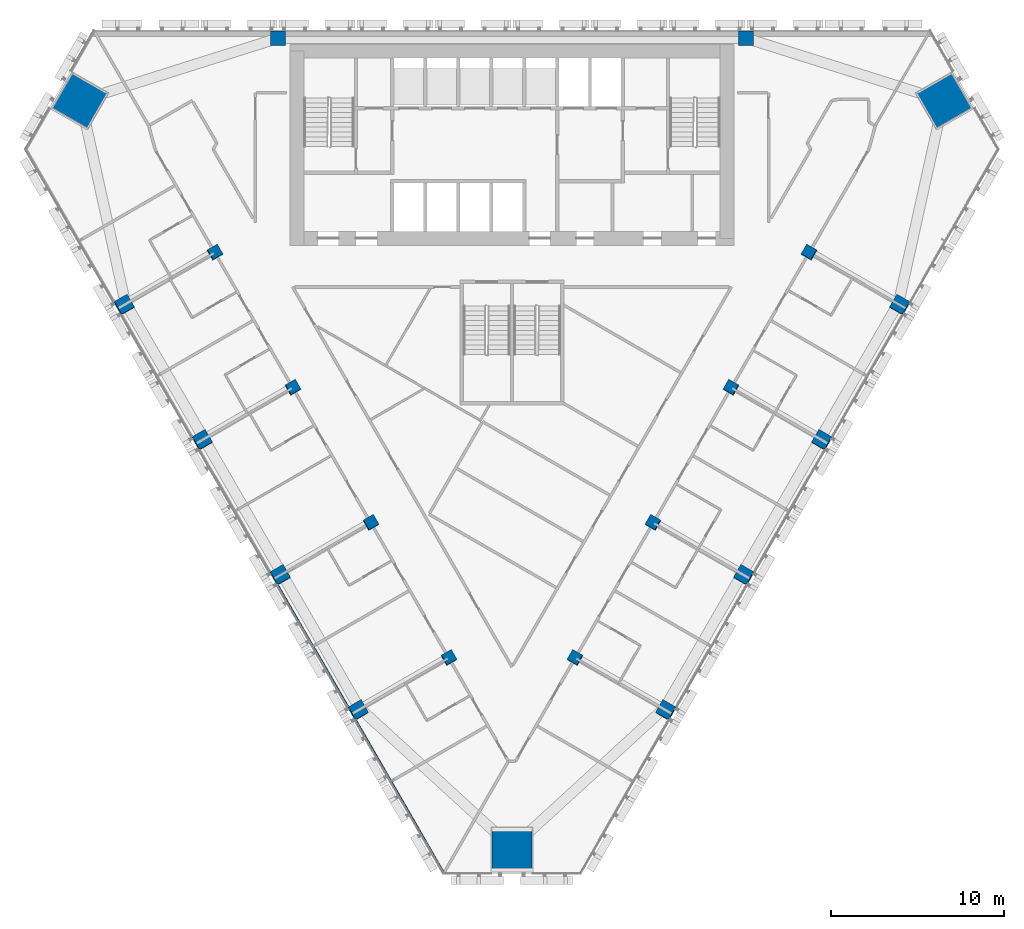
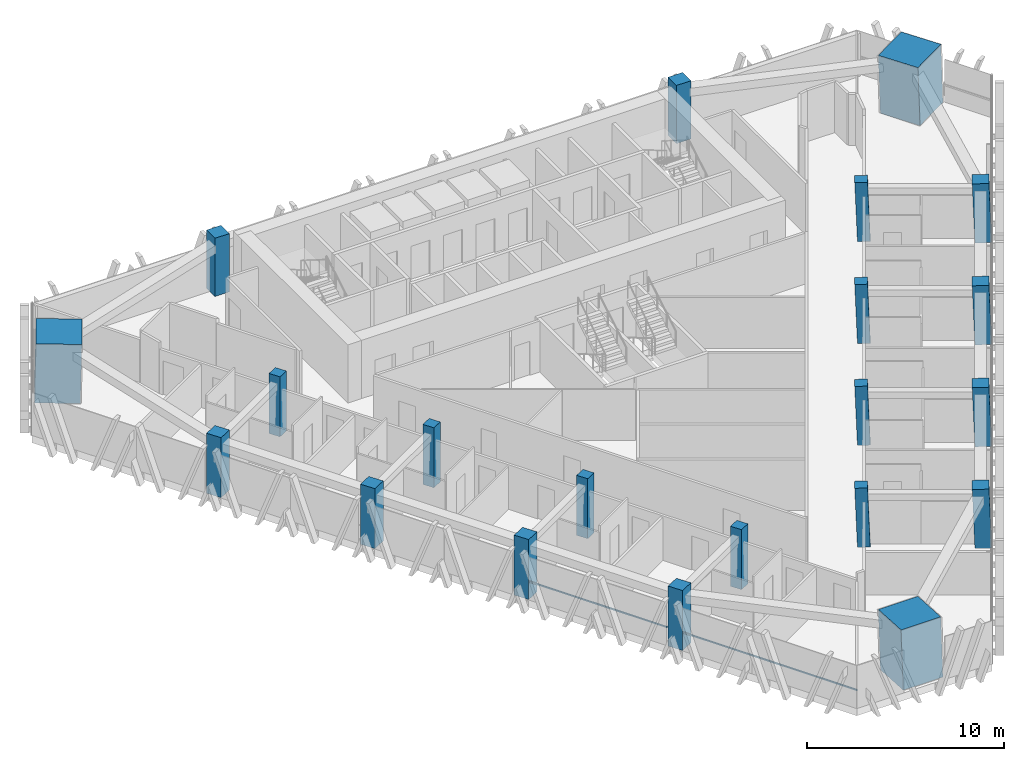
# One storey, part 1 of 16: 21 columns, 2 members, 1 element without a shape of its own.
"""IFC4 building model written with IfcOpenShell, lengths in metres."""

from ifc_helpers import new_model, si_unit, direction, frame, origin, origin_2d, place, context, subcontext, project, spatial, rectangle, extrude, material, layer, layer_set, material_profile, profile_set, type_object, element, aggregate, save


model = new_model("IFC4")

# Units and contexts
model_context = context("Model", 3, precision=1e-05, world=origin(), true_north=direction((0.0, 1.0)))
body_context = subcontext(model_context, "Body", "Model", "MODEL_VIEW")
ifc_project = project(units=[si_unit("LENGTHUNIT", "METRE"), si_unit("AREAUNIT", "SQUARE_METRE"), si_unit("VOLUMEUNIT", "CUBIC_METRE"), si_unit("PLANEANGLEUNIT", "RADIAN"), si_unit("MASSUNIT", "GRAM", prefix="KILO")], contexts=[model_context])

# Site, building, storey
site_placement = place(None, origin())
site = spatial("IfcSite", under=ifc_project, at=site_placement, CompositionType="ELEMENT")
building_placement = place(site_placement, origin())
building = spatial("IfcBuilding", under=site, at=building_placement, Name="Altiplano Prism Tower", CompositionType="ELEMENT")
storey_placement = place(building_placement, frame((0.0, 0.0, 124.199951171875)))
storey = spatial("IfcBuildingStorey", under=building, at=storey_placement, Name="L31", CompositionType="ELEMENT", Elevation=124.199951171875)

# Columns
ifc_material_1 = material(Name="Concrete C60/75", Category="concrete")
ifc_material_profile_1 = material_profile(ifc_material_1, rectangle(XDim=0.64990234375, YDim=0.64990234375, at=origin_2d()), Name="Inner column 650")
ifc_profile_set_1 = profile_set([ifc_material_profile_1], Name="Concrete C60/75")
column_type_1 = type_object("IfcColumnType", Name="Inner column 650", PredefinedType="COLUMN", material=ifc_profile_set_1)
for number, where, z_axis, x_axis, name in (
    (1, (67.851806640625, 92.181396484375, -0.019775390625), (0.022221406801, 0.038413224561, 0.999014831351), (-0.866024065394, -0.498523117158, 0.038432015521), "Inner column I11 L31"),
    (2, (72.351806640625, 84.38720703125, -0.019775390625), (0.022221406801, 0.038413224561, 0.999014831351), (-0.866025617206, -0.498520426688, 0.038431946587), "Inner column I12 L31"),
    (3, (76.851806640625, 76.5927734375, -0.019775390625), (0.02222134892, 0.038480872521, 0.999012229206), (-0.86564209878, -0.499182168802, 0.038482712619), "Inner column I13 L31"),
    (4, (81.351806640625, 68.798583984375, -0.019775390625), (0.02222134892, 0.038480872521, 0.999012229206), (-0.865643652647, -0.499179479521, 0.038482643594), "Inner column I14 L31"),
    (5, (88.648193359375, 68.798583984375, -0.019775390625), (-0.02222134892, 0.038480872521, 0.999012229206), (-0.500167250312, -0.865643731379, 0.022218281657), "Inner column I21 L31"),
    (6, (93.148193359375, 76.5927734375, -0.019775390625), (-0.02222134892, 0.038480872521, 0.999012229206), (-0.500169939593, -0.865642180581, 0.022218162104), "Inner column I22 L31"),
    (7, (97.648193359375, 84.38720703125, -0.019775390625), (-0.022221406801, 0.038413224561, 0.999014831351), (-0.499510250399, -0.866023767971, 0.022188804714), "Inner column I23 L31"),
    (8, (102.148193359375, 92.181396484375, -0.019775390625), (-0.022221406801, 0.038413224561, 0.999014831351), (-0.499512940858, -0.866022219206, 0.022188685317), "Inner column I24 L31"),
):
    element("IfcColumn", number, at=place(storey_placement, frame(where, z_axis=z_axis, x_axis=x_axis)), inside=storey, type_object=column_type_1, Name=name, PredefinedType="COLUMN", context=body_context, shape_type="SweptSolid", body=[
        extrude(rectangle(XDim=0.64990234375, YDim=0.64990234375, at=origin_2d()), origin(), (0.0, 0.0, 1.0), 3.603759765625),
    ])
ifc_material_2 = material(Name="Concrete C70/85", Category="concrete")
ifc_material_profile_2 = material_profile(ifc_material_2, rectangle(XDim=2.320068359375, YDim=2.320068359375, at=origin_2d()), Name="Mega column infill 2400")
ifc_profile_set_2 = profile_set([ifc_material_profile_2], Name="Concrete C70/85")
column_type_2 = type_object("IfcColumnType", Name="Mega column infill 2400", PredefinedType="COLUMN", material=ifc_profile_set_2)
column_1_placement = place(storey_placement, frame((60.013671875, 100.919677734375, 0.0), z_axis=(0.028334066552, 0.009286524205, 0.999555371723), x_axis=(-0.86655567717, 0.498682281887, 0.019930882981)))
element("IfcColumn", 9, at=column_1_placement, inside=storey, type_object=column_type_2, Name="Mega column M0 L31", PredefinedType="COLUMN", context=body_context, shape_type="SweptSolid", body=[
    extrude(rectangle(XDim=2.320068359375, YDim=2.320068359375, at=origin_2d()), origin(), (0.0, 0.0, 1.0), 3.601806640625),
])
column_2_placement = place(storey_placement, frame((85.0, 57.64208984375, 0.0), z_axis=(0.0, 0.058289438722, 0.9982997252), x_axis=(-1.0, 0.0, 0.0)))
element("IfcColumn", 10, at=column_2_placement, inside=storey, type_object=column_type_2, Name="Mega column M1 L31", PredefinedType="COLUMN", context=body_context, shape_type="SweptSolid", body=[
    extrude(rectangle(XDim=2.320068359375, YDim=2.320068359375, at=origin_2d()), origin(), (0.0, 0.0, 1.0), 3.606201171875),
])
column_3_placement = place(storey_placement, frame((109.986328125, 100.919677734375, 0.0), z_axis=(-0.028334066552, 0.009286524205, 0.999555371723), x_axis=(0.498277960515, -0.866733668872, 0.022177044631)))
element("IfcColumn", 11, at=column_3_placement, inside=storey, type_object=column_type_2, Name="Mega column M2 L31", PredefinedType="COLUMN", context=body_context, shape_type="SweptSolid", body=[
    extrude(rectangle(XDim=2.320068359375, YDim=2.320068359375, at=origin_2d()), origin(), (0.0, 0.0, 1.0), 3.601806640625),
])
ifc_material_profile_3 = material_profile(ifc_material_1, rectangle(XDim=0.85009765625, YDim=0.85009765625, at=origin_2d()), Name="Perimeter column 850")
ifc_profile_set_3 = profile_set([ifc_material_profile_3], Name="Concrete C60/75")
column_type_3 = type_object("IfcColumnType", Name="Perimeter column 850", PredefinedType="COLUMN", material=ifc_profile_set_3)
for number, where, z_axis, x_axis, name in (
    (12, (98.5, 104.550048828125, 0.0), (0.0, 0.0, 1.0), (1.0, 0.0, 0.0), "Perimeter column P01 L31"),
    (13, (71.5, 104.550048828125, 0.0), (0.0, 0.0, 1.0), (1.0, 0.0, 0.0), "Perimeter column P04 L31"),
):
    element("IfcColumn", number, at=place(storey_placement, frame(where, z_axis=z_axis, x_axis=x_axis)), inside=storey, type_object=column_type_3, Name=name, PredefinedType="COLUMN", context=body_context, shape_type="SweptSolid", body=[
        extrude(rectangle(XDim=0.85009765625, YDim=0.85009765625, at=origin_2d()), origin(), (0.0, 0.0, 1.0), 3.60009765625),
    ])
for number, where, z_axis, x_axis, name in (
    (14, (62.6123046875, 89.156005859375, -0.025634765625), (0.022222852987, 0.038483477124, 0.999012095419), (-0.86564204084, -0.499182068467, 0.038485317347), "Perimeter column P11 L31"),
    (15, (67.1123046875, 81.36181640625, -0.025634765625), (0.022222852987, 0.038483477124, 0.999012095419), (-0.865643585977, -0.499179394294, 0.038485248705), "Perimeter column P12 L31"),
    (16, (71.6123046875, 73.567626953125, -0.025634765625), (0.022222852987, 0.038483477124, 0.999012095419), (-0.86564204084, -0.499182068467, 0.038485317347), "Perimeter column P13 L31"),
    (17, (76.1123046875, 65.7734375, -0.025634765625), (0.022222910879, 0.038415824599, 0.999014697916), (-0.866025550624, -0.498520341777, 0.03843454828), "Perimeter column P14 L31"),
    (18, (93.8876953125, 65.7734375, -0.025634765625), (-0.022222910879, 0.038415824599, 0.999014697916), (-0.49950564351, -0.866026381385, 0.022190512525), "Perimeter column P21 L31"),
    (19, (98.3876953125, 73.567626953125, -0.025634765625), (-0.022222852987, 0.038483477124, 0.999012095419), (-0.500169973044, -0.865642122652, 0.022219665955), "Perimeter column P22 L31"),
    (20, (102.8876953125, 81.36181640625, -0.025634765625), (-0.022222852987, 0.038483477124, 0.999012095419), (-0.500171937123, -0.865640990042, 0.022219578635), "Perimeter column P23 L31"),
    (21, (107.3876953125, 89.156005859375, -0.025634765625), (-0.022222852987, 0.038483477124, 0.999012095419), (-0.500174626395, -0.865639439229, 0.022219459073), "Perimeter column P24 L31"),
):
    element("IfcColumn", number, at=place(storey_placement, frame(where, z_axis=z_axis, x_axis=x_axis)), inside=storey, type_object=column_type_3, Name=name, PredefinedType="COLUMN", context=body_context, shape_type="SweptSolid", body=[
        extrude(rectangle(XDim=0.85009765625, YDim=0.85009765625, at=origin_2d()), origin(), (0.0, 0.0, 1.0), 3.603515625),
    ])

# Curtain wall, members
ifc_material_3 = material(Name="Aluminium and glass", Category="aluminium")
ifc_layer = layer(ifc_material_3, 0.280029296875)
ifc_layer_set = layer_set([ifc_layer], Name="Aluminium and glass")
curtain_wall_type = type_object("IfcCurtainWallType", Name="CW1 typical co-living unitised curtain wall", PredefinedType="NOTDEFINED", material=ifc_layer_set)
curtain_wall_placement = place(storey_placement, origin())
curtain_wall = element("IfcCurtainWall", 22, at=curtain_wall_placement, inside=storey, type_object=curtain_wall_type, Name="CW1 curtain wall south-west face L31", PredefinedType="NOTDEFINED")
ifc_material_4 = material(Name="Aluminium", Category="aluminium")
ifc_material_profile_4 = material_profile(ifc_material_4, rectangle(XDim=0.06005859375, YDim=0.080078125, at=origin_2d()), Name="CW1 transom 80 x 60")
ifc_profile_set_4 = profile_set([ifc_material_profile_4], Name="Aluminium")
member_type = type_object("IfcMemberType", Name="CW1 transom 80 x 60", PredefinedType="USERDEFINED", material=ifc_profile_set_4)
member_1_placement = place(storey_placement, frame((71.49658203125, 73.010009765625, 1.10009765625), z_axis=(0.499994808408, -0.866028401131, 0.0), x_axis=(0.866028401131, 0.499994808408, 0.0)))
member_1 = element("IfcMember", 23, at=member_1_placement, type_object=member_type, Name="CW1 transom", ObjectType="TRANSOM", PredefinedType="USERDEFINED", context=body_context, shape_type="SweptSolid", body=[
    extrude(rectangle(XDim=0.06005859375, YDim=0.080078125, at=origin_2d()), origin(), (0.0, 0.0, 1.0), 8.06982421875),
])
member_2_placement = place(storey_placement, frame((75.99658203125, 65.2158203125, 1.10009765625), z_axis=(0.499993018469, -0.866029434536, 0.0), x_axis=(0.866029434536, 0.499993018469, 0.0)))
member_2 = element("IfcMember", 24, at=member_2_placement, type_object=member_type, Name="CW1 transom", ObjectType="TRANSOM", PredefinedType="USERDEFINED", context=body_context, shape_type="SweptSolid", body=[
    extrude(rectangle(XDim=0.06005859375, YDim=0.080078125, at=origin_2d()), origin(), (0.0, 0.0, 1.0), 10.206298828125),
])
aggregate(curtain_wall, [member_1, member_2])

save(model, "model.ifc")
